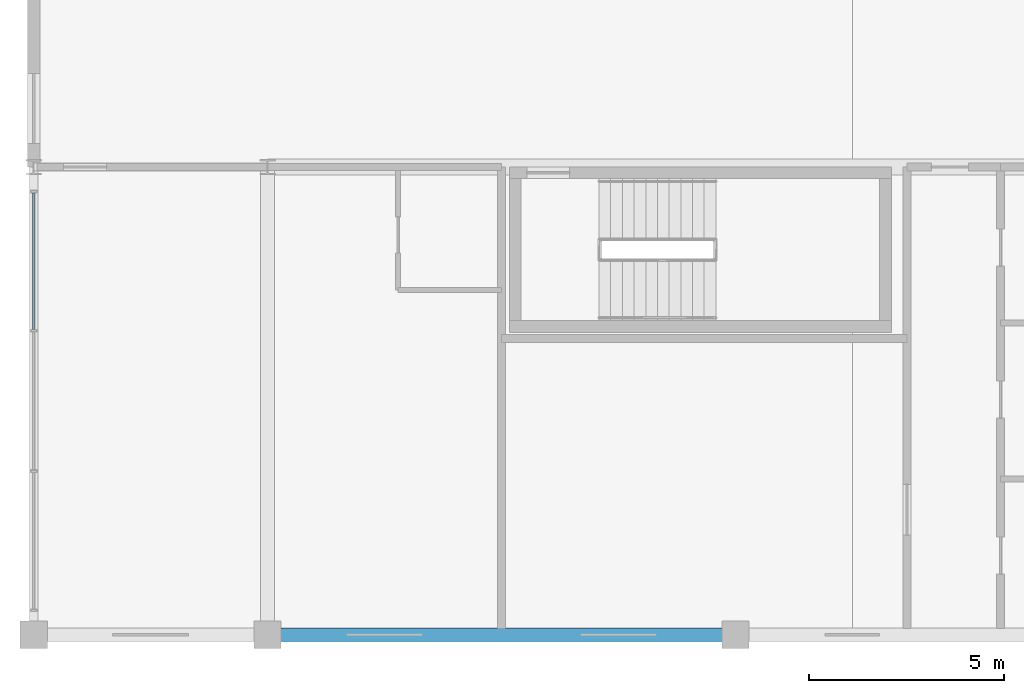
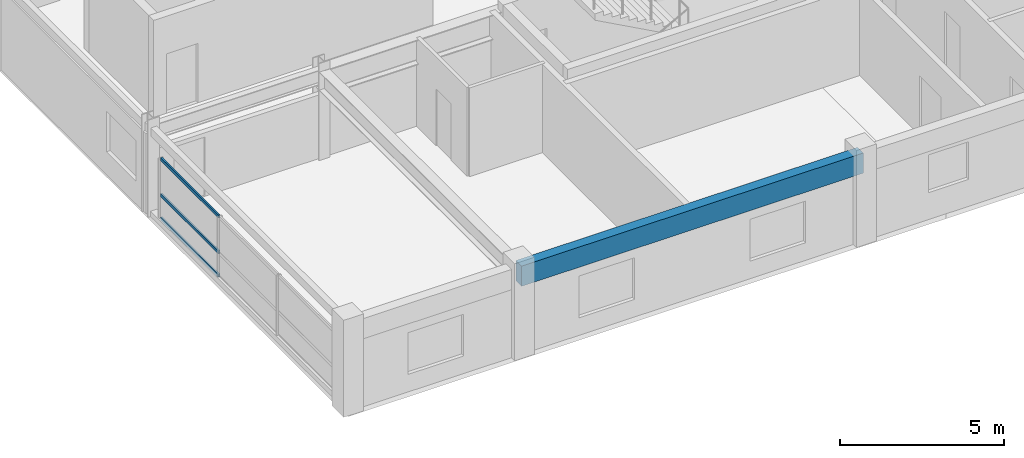
# One storey, part 3 of 22: 3 members, 1 beam, 1 element without a shape of its own.
"""IFC4 building model written with IfcOpenShell, lengths in metres."""

from ifc_helpers import new_model, si_unit, direction, frame, origin, origin_2d, place, context, subcontext, project, spatial, rectangle, hollow_rectangle, extrude, material, material_profile, profile_set, type_object, element, aggregate, save


model = new_model("IFC4")

# Units and contexts
model_context = context("Model", 3, precision=1e-05, world=origin(), true_north=direction((0.0, 1.0)))
body_context = subcontext(model_context, "Body", "Model", "MODEL_VIEW")
ifc_project = project(units=[si_unit("LENGTHUNIT", "METRE"), si_unit("AREAUNIT", "SQUARE_METRE"), si_unit("VOLUMEUNIT", "CUBIC_METRE"), si_unit("PLANEANGLEUNIT", "RADIAN"), si_unit("MASSUNIT", "GRAM", prefix="KILO")], contexts=[model_context])

# Site, building, storey
site_placement = place(None, origin())
site = spatial("IfcSite", under=ifc_project, at=site_placement, CompositionType="ELEMENT")
building_placement = place(site_placement, origin())
building = spatial("IfcBuilding", under=site, at=building_placement, Name="Kaldorvane Square Convention Centre", CompositionType="ELEMENT")
storey_placement = place(building_placement, frame((0.0, 0.0, 63.600006103515625)))
storey = spatial("IfcBuildingStorey", under=building, at=storey_placement, Name="L15", CompositionType="ELEMENT", Elevation=63.600006103515625)

# Beam
ifc_material_1 = material(Name="Concrete f'c = 42 MPa (Normalweight)", Category="concrete")
ifc_material_profile_1 = material_profile(ifc_material_1, rectangle(XDim=0.350006103515625, YDim=0.75, at=origin_2d()), Name="RCSP750X350")
ifc_profile_set_1 = profile_set([ifc_material_profile_1], Name="Concrete f'c = 42 MPa (Normalweight)")
beam_type = type_object("IfcBeamType", Name="BM-SP-RC750", PredefinedType="SPANDREL", material=ifc_profile_set_1)
beam_placement = place(storey_placement, frame((42.0, 84.0, 2.9109954833984375), z_axis=(1.0, 0.0, 0.0), x_axis=(0.0, 1.0, 0.0)))
element("IfcBeam", 1, at=beam_placement, inside=storey, type_object=beam_type, Name="Perimeter Spandrel (L15)", PredefinedType="SPANDREL", context=body_context, shape_type="SweptSolid", body=[
    extrude(rectangle(XDim=0.350006103515625, YDim=0.75, at=origin_2d()), origin(), (0.0, 0.0, 1.0), 12.0),
])

# Curtain wall, members
ifc_material_2 = material(Name="Anodized Aluminum and Low-E Insulated Glazing", Category="aluminium")
curtain_wall_type = type_object("IfcCurtainWallType", Name="CW-UNI-HTL-B", PredefinedType="USERDEFINED", material=ifc_material_2)
curtain_wall_placement = place(storey_placement, origin())
curtain_wall = element("IfcCurtainWall", 2, at=curtain_wall_placement, inside=storey, type_object=curtain_wall_type, Name="Curtain Wall CW-11 (L15)", ObjectType="UNITISED GLAZING", PredefinedType="USERDEFINED")
ifc_material_profile_2 = material_profile(ifc_material_2, hollow_rectangle(XDim=0.05499267578125, YDim=0.1199951171875, WallThickness=0.0030059814453125, at=origin_2d()), Name="CWT-120X55")
ifc_profile_set_2 = profile_set([ifc_material_profile_2], Name="Anodized Aluminum and Low-E Insulated Glazing")
member_type = type_object("IfcMemberType", Name="CW-TRN-120", PredefinedType="USERDEFINED", material=ifc_profile_set_2)
member_1_placement = place(storey_placement, frame((36.0, 95.33999633789062, 0.177490234375), z_axis=(0.0, -1.0, 0.0), x_axis=(1.0, 0.0, 0.0)))
member_1 = element("IfcMember", 3, at=member_1_placement, type_object=member_type, Name="CW-11 transom 1.1", ObjectType="TRANSOM", PredefinedType="USERDEFINED", context=body_context, shape_type="SweptSolid", body=[
    extrude(hollow_rectangle(XDim=0.05499267578125, YDim=0.1199951171875, WallThickness=0.0030059814453125, at=origin_2d()), origin(), (0.0, 0.0, 1.0), 3.5099945068359375),
])
member_2_placement = place(storey_placement, frame((36.0, 95.33999633789062, 1.04998779296875), z_axis=(0.0, -1.0, 0.0), x_axis=(1.0, 0.0, 0.0)))
member_2 = element("IfcMember", 4, at=member_2_placement, type_object=member_type, Name="CW-11 transom 1.2", ObjectType="TRANSOM", PredefinedType="USERDEFINED", context=body_context, shape_type="SweptSolid", body=[
    extrude(hollow_rectangle(XDim=0.05499267578125, YDim=0.1199951171875, WallThickness=0.0030059814453125, at=origin_2d()), origin(), (0.0, 0.0, 1.0), 3.5099945068359375),
])
member_3_placement = place(storey_placement, frame((36.0, 95.33999633789062, 2.3824920654296875), z_axis=(0.0, -1.0, 0.0), x_axis=(1.0, 0.0, 0.0)))
member_3 = element("IfcMember", 5, at=member_3_placement, type_object=member_type, Name="CW-11 transom 1.3", ObjectType="TRANSOM", PredefinedType="USERDEFINED", context=body_context, shape_type="SweptSolid", body=[
    extrude(hollow_rectangle(XDim=0.05499267578125, YDim=0.1199951171875, WallThickness=0.0030059814453125, at=origin_2d()), origin(), (0.0, 0.0, 1.0), 3.5099945068359375),
])
aggregate(curtain_wall, [member_1, member_2, member_3])

save(model, "model.ifc")
